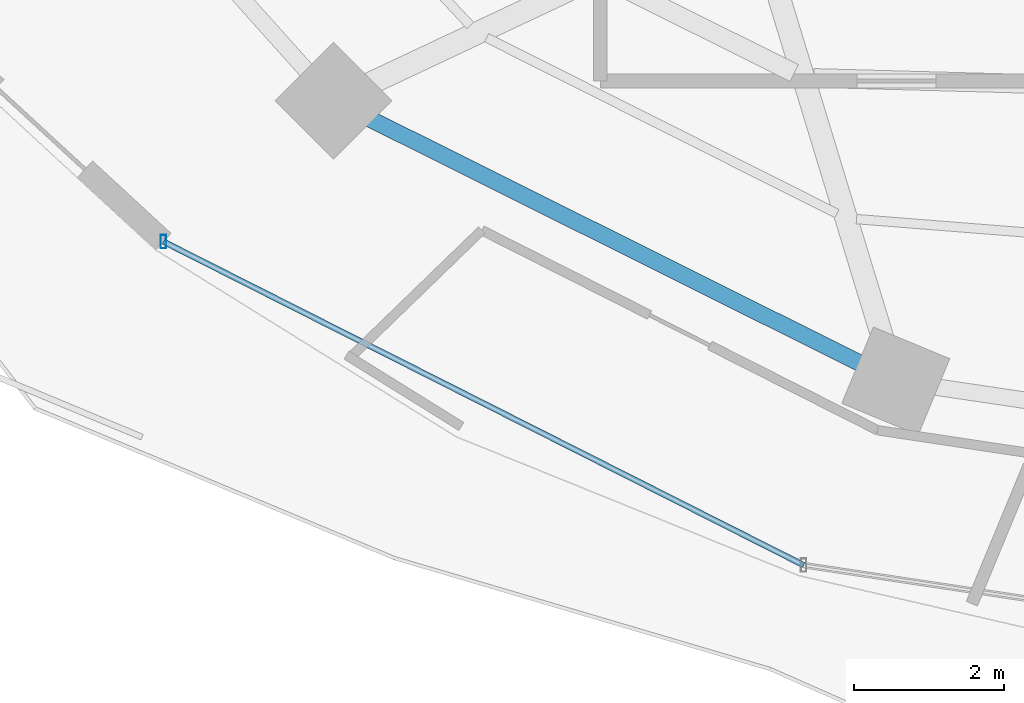
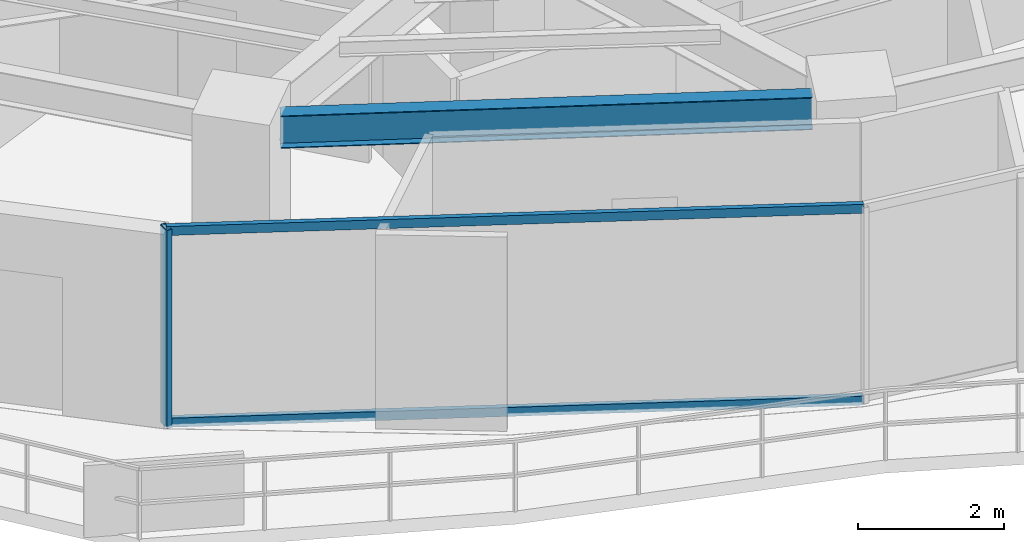
# One storey, part 2 of 31: 3 members, 1 beam, 1 element without a shape of its own.
"""IFC4 building model written with IfcOpenShell, lengths in metres."""

from ifc_helpers import new_model, si_unit, direction, frame, origin, origin_2d, place, context, subcontext, project, spatial, hollow_rectangle, i_section, extrude, material, material_profile, profile_set, type_object, element, aggregate, save


model = new_model("IFC4")

# Units and contexts
model_context = context("Model", 3, precision=1e-05, world=origin(), true_north=direction((0.0, 1.0)))
body_context = subcontext(model_context, "Body", "Model", "MODEL_VIEW")
ifc_project = project(units=[si_unit("LENGTHUNIT", "METRE"), si_unit("AREAUNIT", "SQUARE_METRE"), si_unit("VOLUMEUNIT", "CUBIC_METRE"), si_unit("PLANEANGLEUNIT", "RADIAN"), si_unit("MASSUNIT", "GRAM", prefix="KILO")], contexts=[model_context])

# Site, building, storey
site_placement = place(None, origin())
site = spatial("IfcSite", under=ifc_project, at=site_placement, CompositionType="ELEMENT")
building_placement = place(site_placement, origin())
building = spatial("IfcBuilding", under=site, at=building_placement, Name="Vorneva Point Tower", CompositionType="ELEMENT")
storey_placement = place(building_placement, frame((0.0, 0.0, 103.300048828125)))
storey = spatial("IfcBuildingStorey", under=building, at=storey_placement, Name="L27", CompositionType="ELEMENT", Elevation=103.300048828125)

# Beam
ifc_material_1 = material(Name="Steel S355", Category="steel")
ifc_material_profile_1 = material_profile(ifc_material_1, i_section(OverallWidth=0.219970703125, OverallDepth=0.54296875, WebThickness=0.009521484375, FlangeThickness=0.013427734375, at=origin_2d()), Name="55B1")
ifc_profile_set_1 = profile_set([ifc_material_profile_1], Name="Steel S355")
beam_type = type_object("IfcBeamType", Name="BM-SPN-55B1", PredefinedType="SPANDREL", material=ifc_profile_set_1)
beam_placement = place(storey_placement, frame((22.179931640625, 13.59912109375, 2.968505859375), z_axis=(0.894915882304, -0.446234874926, 0.0), x_axis=(0.446234874926, 0.894915882304, 0.0)))
element("IfcBeam", 1, at=beam_placement, inside=storey, type_object=beam_type, Name="L27 Perimeter Spandrel Ring Beam 11", PredefinedType="SPANDREL", context=body_context, shape_type="SweptSolid", body=[
    extrude(i_section(OverallWidth=0.219970703125, OverallDepth=0.54296875, WebThickness=0.009521484375, FlangeThickness=0.013427734375, at=origin_2d()), origin(), (0.0, 0.0, 1.0), 7.285888671875),
])

# Curtain wall, members
ifc_material_2 = material(Name="Pale anodised aluminium", Category="aluminium")
curtain_wall_type = type_object("IfcCurtainWallType", Name="CW-HTL-SYS", PredefinedType="NOTDEFINED", material=ifc_material_2)
curtain_wall_placement = place(storey_placement, origin())
curtain_wall = element("IfcCurtainWall", 2, at=curtain_wall_placement, inside=storey, type_object=curtain_wall_type, Name="L27 Unitised Curtain Wall CW-L27-R04", PredefinedType="NOTDEFINED")
ifc_material_profile_2 = material_profile(ifc_material_2, hollow_rectangle(XDim=0.074951171875, YDim=0.179931640625, WallThickness=0.00390625, at=origin_2d()), Name="AL-MUL 180x75x4")
ifc_profile_set_2 = profile_set([ifc_material_profile_2], Name="Pale anodised aluminium")
member_type_1 = type_object("IfcMemberType", Name="CW-MUL-180", PredefinedType="MULLION", material=ifc_profile_set_2)
member_1_placement = place(storey_placement, frame((19.4384765625, 11.9638671875, -0.0400390625), z_axis=(0.0, 0.0, 1.0), x_axis=(1.0, 0.0, 0.0)))
member_1 = element("IfcMember", 3, at=member_1_placement, type_object=member_type_1, Name="CW-L27-R04 Mullion 01", PredefinedType="MULLION", context=body_context, shape_type="SweptSolid", body=[
    extrude(hollow_rectangle(XDim=0.074951171875, YDim=0.179931640625, WallThickness=0.00390625, at=origin_2d()), origin(), (0.0, 0.0, 1.0), 3.31005859375),
])
ifc_material_profile_3 = material_profile(ifc_material_2, hollow_rectangle(XDim=0.074951171875, YDim=0.14990234375, WallThickness=0.00390625, at=origin_2d()), Name="AL-TRN 150x75x4")
ifc_profile_set_3 = profile_set([ifc_material_profile_3], Name="Pale anodised aluminium")
member_type_2 = type_object("IfcMemberType", Name="CW-TRN-150", PredefinedType="USERDEFINED", material=ifc_profile_set_3)
member_2_placement = place(storey_placement, frame((19.4384765625, 11.9638671875, 0.02001953125), z_axis=(0.892536035732, -0.450976080207, 0.0), x_axis=(0.450976080207, 0.892536035732, 0.0)))
member_2 = element("IfcMember", 4, at=member_2_placement, type_object=member_type_2, Name="CW-L27-R04 Transom 01.1", ObjectType="TRANSOM", PredefinedType="USERDEFINED", context=body_context, shape_type="SweptSolid", body=[
    extrude(hollow_rectangle(XDim=0.074951171875, YDim=0.14990234375, WallThickness=0.00390625, at=origin_2d()), origin(), (0.0, 0.0, 1.0), 9.54150390625),
])
member_3_placement = place(storey_placement, frame((19.4384765625, 11.9638671875, 3.219970703125), z_axis=(0.892536035732, -0.450976080207, 0.0), x_axis=(0.450976080207, 0.892536035732, 0.0)))
member_3 = element("IfcMember", 5, at=member_3_placement, type_object=member_type_2, Name="CW-L27-R04 Transom 01.2", ObjectType="TRANSOM", PredefinedType="USERDEFINED", context=body_context, shape_type="SweptSolid", body=[
    extrude(hollow_rectangle(XDim=0.074951171875, YDim=0.14990234375, WallThickness=0.00390625, at=origin_2d()), origin(), (0.0, 0.0, 1.0), 9.54150390625),
])
aggregate(curtain_wall, [member_1, member_2, member_3])

save(model, "model.ifc")
